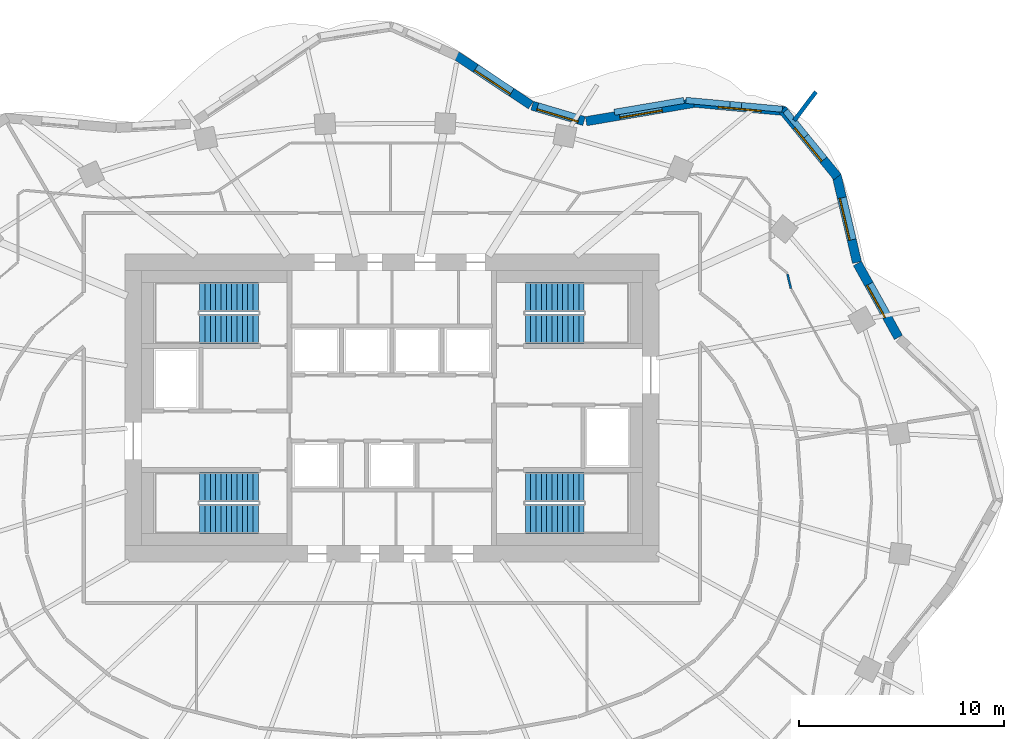
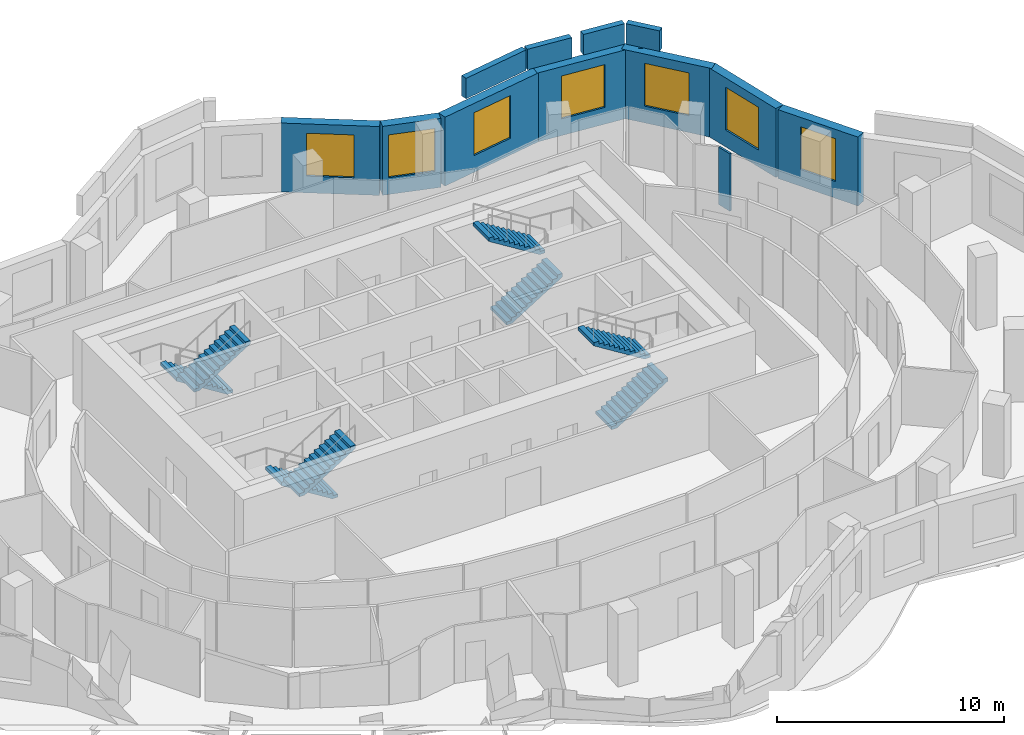
# One storey, part 9 of 10: 13 walls, 8 stair flights, 7 windows, 7 openings, 4 elements without a shape of their own.
"""IFC4 building model written with IfcOpenShell, lengths in metres."""

from ifc_helpers import new_model, si_unit, direction, frame, frame_2d, origin, place, context, subcontext, project, spatial, polyline, rectangle, outline, extrude, material, layer, layer_set, type_object, element, fill, aggregate, save


model = new_model("IFC4")

# Units and contexts
model_context = context("Model", 3, precision=1e-05, world=origin(), true_north=direction((0.0, 1.0)))
body_context = subcontext(model_context, "Body", "Model", "MODEL_VIEW")
ifc_project = project(units=[si_unit("LENGTHUNIT", "METRE"), si_unit("AREAUNIT", "SQUARE_METRE"), si_unit("VOLUMEUNIT", "CUBIC_METRE"), si_unit("PLANEANGLEUNIT", "RADIAN"), si_unit("MASSUNIT", "GRAM", prefix="KILO")], contexts=[model_context])

# Site, building, storey
site_placement = place(None, origin())
site = spatial("IfcSite", under=ifc_project, at=site_placement, CompositionType="ELEMENT")
building_placement = place(site_placement, origin())
building = spatial("IfcBuilding", under=site, at=building_placement, Name="Rubra Terraces Tower", CompositionType="ELEMENT")
storey_placement = place(building_placement, frame((0.0, 0.0, 205.199951171875)))
storey = spatial("IfcBuildingStorey", under=building, at=storey_placement, Name="L50", CompositionType="ELEMENT", Elevation=205.199951171875)

# Wall, opening, window
ifc_material_1 = material(Name="Brick masonry red-brown", Category="masonry")
ifc_layer_1 = layer(ifc_material_1, 0.449951171875)
ifc_layer_set_1 = layer_set([ifc_layer_1], Name="Brick masonry red-brown")
wall_type_1 = type_object("IfcWallType", Name="Brick facade wall 450", PredefinedType="SOLIDWALL", material=ifc_layer_set_1)
wall_1_placement = place(storey_placement, frame((24.662109375, 7.93896484375, 0.0), z_axis=(0.0, 0.0, 1.0), x_axis=(-0.485153910721, 0.874428775208, 0.0)))
wall_1 = element("IfcWall", 1, at=wall_1_placement, inside=storey, type_object=wall_type_1, Name="Facade wall L50 bay 3", PredefinedType="SOLIDWALL", context=body_context, shape_type="SweptSolid", body=[
    extrude(rectangle(XDim=4.1123046875, YDim=0.449951171875, at=frame_2d((2.05615234375, 0.0))), origin(), (0.0, 0.0, 1.0), 3.699951171875),
])
opening_1_placement = place(wall_1_placement, frame((1.15625, 0.0, 0.89990234375)))
opening_1 = element("IfcOpeningElement", 2, at=opening_1_placement, cuts=wall_1, Name="Opening W6B", PredefinedType="OPENING", context=body_context, shape_type="SweptSolid", body=[
    extrude(rectangle(XDim=1.800048828125, YDim=2.300048828125, at=frame_2d((0.89990234375, 1.14990234375))), frame((0.0, 0.23486328125, 0.0), z_axis=(0.0, -1.0, 0.0), x_axis=(1.0, 0.0, 0.0)), (0.0, 0.0, 1.0), 0.469970703125),
])
ifc_material_2 = material(Name="Clear glass in aluminium frame", Category="aluminium")
window_type_1 = type_object("IfcWindowType", Name="Fixed deep-set window at wind fin tall storey 1800 x 2300", PartitioningType="SINGLE_PANEL", PredefinedType="WINDOW", material=ifc_material_2)
window_1_placement = place(opening_1_placement, origin())
window_1 = element("IfcWindow", 3, at=window_1_placement, inside=storey, type_object=window_type_1, Name="Window L50 bay 3", OverallHeight=2.300048828125, OverallWidth=1.800048828125, PartitioningType="SINGLE_PANEL", PredefinedType="WINDOW", context=body_context, shape_type="SweptSolid", body=[
    extrude(rectangle(XDim=1.800048828125, YDim=2.300048828125, at=frame_2d((0.89990234375, 1.14990234375))), frame((0.0, 0.135009765625, 0.0), z_axis=(0.0, -1.0, 0.0), x_axis=(1.0, 0.0, 0.0)), (0.0, 0.0, 1.0), 0.06005859375),
])
fill(opening_1, window_1)

wall_2_placement = place(storey_placement, frame((22.646484375, 11.5859375, 0.0), z_axis=(0.0, 0.0, 1.0), x_axis=(-0.227925124198, 0.973678662475, 0.0)))
wall_2 = element("IfcWall", 4, at=wall_2_placement, inside=storey, type_object=wall_type_1, Name="Facade wall L50 bay 4", PredefinedType="SOLIDWALL", context=body_context, shape_type="SweptSolid", body=[
    extrude(rectangle(XDim=4.360595703125, YDim=0.449951171875, at=frame_2d((2.18017578125, 0.0))), origin(), (0.0, 0.0, 1.0), 3.699951171875),
])
opening_2_placement = place(wall_2_placement, frame((1.13037109375, 0.0, 0.89990234375)))
opening_2 = element("IfcOpeningElement", 5, at=opening_2_placement, cuts=wall_2, Name="Opening W1B", PredefinedType="OPENING", context=body_context, shape_type="SweptSolid", body=[
    extrude(rectangle(XDim=2.10009765625, YDim=2.300048828125, at=frame_2d((1.050048828125, 1.14990234375))), frame((0.0, 0.23486328125, 0.0), z_axis=(0.0, -1.0, 0.0), x_axis=(1.0, 0.0, 0.0)), (0.0, 0.0, 1.0), 0.469970703125),
])
window_type_2 = type_object("IfcWindowType", Name="Fixed deep-set window tall storey 2100 x 2300", PartitioningType="SINGLE_PANEL", PredefinedType="WINDOW", material=ifc_material_2)
window_2_placement = place(opening_2_placement, origin())
window_2 = element("IfcWindow", 6, at=window_2_placement, inside=storey, type_object=window_type_2, Name="Window L50 bay 4", OverallHeight=2.300048828125, OverallWidth=2.10009765625, PartitioningType="SINGLE_PANEL", PredefinedType="WINDOW", context=body_context, shape_type="SweptSolid", body=[
    extrude(rectangle(XDim=2.10009765625, YDim=2.300048828125, at=frame_2d((1.050048828125, 1.14990234375))), frame((0.0, 0.135009765625, 0.0), z_axis=(0.0, -1.0, 0.0), x_axis=(1.0, 0.0, 0.0)), (0.0, 0.0, 1.0), 0.06005859375),
])
fill(opening_2, window_2)

wall_3_placement = place(storey_placement, frame((21.69580078125, 15.74755859375, 0.0), z_axis=(0.0, 0.0, 1.0), x_axis=(-0.632968710519, 0.774177377288, 0.0)))
wall_3 = element("IfcWall", 7, at=wall_3_placement, inside=storey, type_object=wall_type_1, Name="Facade wall L50 bay 5", PredefinedType="SOLIDWALL", context=body_context, shape_type="SweptSolid", body=[
    extrude(rectangle(XDim=4.249755859375, YDim=0.449951171875, at=frame_2d((2.125, 0.0))), origin(), (0.0, 0.0, 1.0), 3.699951171875),
])
opening_3_placement = place(wall_3_placement, frame((1.074951171875, 0.0, 0.89990234375)))
opening_3 = element("IfcOpeningElement", 8, at=opening_3_placement, cuts=wall_3, Name="Opening W1B", PredefinedType="OPENING", context=body_context, shape_type="SweptSolid", body=[
    extrude(rectangle(XDim=2.10009765625, YDim=2.300048828125, at=frame_2d((1.050048828125, 1.14990234375))), frame((0.0, 0.23486328125, 0.0), z_axis=(0.0, -1.0, 0.0), x_axis=(1.0, 0.0, 0.0)), (0.0, 0.0, 1.0), 0.469970703125),
])
window_3_placement = place(opening_3_placement, origin())
window_3 = element("IfcWindow", 9, at=window_3_placement, inside=storey, type_object=window_type_2, Name="Window L50 bay 5", OverallHeight=2.300048828125, OverallWidth=2.10009765625, PartitioningType="SINGLE_PANEL", PredefinedType="WINDOW", context=body_context, shape_type="SweptSolid", body=[
    extrude(rectangle(XDim=2.10009765625, YDim=2.300048828125, at=frame_2d((1.050048828125, 1.14990234375))), frame((0.0, 0.135009765625, 0.0), z_axis=(0.0, -1.0, 0.0), x_axis=(1.0, 0.0, 0.0)), (0.0, 0.0, 1.0), 0.06005859375),
])
fill(opening_3, window_3)

wall_4_placement = place(storey_placement, frame((19.1591796875, 18.955810546875, 0.0), z_axis=(0.0, 0.0, 1.0), x_axis=(-0.995777399421, 0.091800712424, 0.0)))
wall_4 = element("IfcWall", 10, at=wall_4_placement, inside=storey, type_object=wall_type_1, Name="Facade wall L50 bay 6", PredefinedType="SOLIDWALL", context=body_context, shape_type="SweptSolid", body=[
    extrude(rectangle(XDim=4.45458984375, YDim=0.449951171875, at=frame_2d((2.227294921875, 0.0))), origin(), (0.0, 0.0, 1.0), 3.699951171875),
])
opening_4_placement = place(wall_4_placement, frame((1.177490234375, 0.0, 0.89990234375)))
opening_4 = element("IfcOpeningElement", 11, at=opening_4_placement, cuts=wall_4, Name="Opening W1B", PredefinedType="OPENING", context=body_context, shape_type="SweptSolid", body=[
    extrude(rectangle(XDim=2.10009765625, YDim=2.300048828125, at=frame_2d((1.050048828125, 1.14990234375))), frame((0.0, 0.23486328125, 0.0), z_axis=(0.0, -1.0, 0.0), x_axis=(1.0, 0.0, 0.0)), (0.0, 0.0, 1.0), 0.469970703125),
])
window_4_placement = place(opening_4_placement, origin())
window_4 = element("IfcWindow", 12, at=window_4_placement, inside=storey, type_object=window_type_2, Name="Window L50 bay 6", OverallHeight=2.300048828125, OverallWidth=2.10009765625, PartitioningType="SINGLE_PANEL", PredefinedType="WINDOW", context=body_context, shape_type="SweptSolid", body=[
    extrude(rectangle(XDim=2.10009765625, YDim=2.300048828125, at=frame_2d((1.050048828125, 1.14990234375))), frame((0.0, 0.135009765625, 0.0), z_axis=(0.0, -1.0, 0.0), x_axis=(1.0, 0.0, 0.0)), (0.0, 0.0, 1.0), 0.06005859375),
])
fill(opening_4, window_4)

wall_5_placement = place(storey_placement, frame((14.78173828125, 19.366943359375, 0.0), z_axis=(0.0, 0.0, 1.0), x_axis=(-0.98585584667, -0.167595493934, 0.0)))
wall_5 = element("IfcWall", 13, at=wall_5_placement, inside=storey, type_object=wall_type_1, Name="Facade wall L50 bay 7", PredefinedType="SOLIDWALL", context=body_context, shape_type="SweptSolid", body=[
    extrude(rectangle(XDim=5.398681640625, YDim=0.449951171875, at=frame_2d((2.69921875, 0.0))), origin(), (0.0, 0.0, 1.0), 3.699951171875),
])
opening_5_placement = place(wall_5_placement, frame((1.6494140625, 0.0, 0.89990234375)))
opening_5 = element("IfcOpeningElement", 14, at=opening_5_placement, cuts=wall_5, Name="Opening W1B", PredefinedType="OPENING", context=body_context, shape_type="SweptSolid", body=[
    extrude(rectangle(XDim=2.10009765625, YDim=2.300048828125, at=frame_2d((1.050048828125, 1.14990234375))), frame((0.0, 0.23486328125, 0.0), z_axis=(0.0, -1.0, 0.0), x_axis=(1.0, 0.0, 0.0)), (0.0, 0.0, 1.0), 0.469970703125),
])
window_5_placement = place(opening_5_placement, origin())
window_5 = element("IfcWindow", 15, at=window_5_placement, inside=storey, type_object=window_type_2, Name="Window L50 bay 7", OverallHeight=2.300048828125, OverallWidth=2.10009765625, PartitioningType="SINGLE_PANEL", PredefinedType="WINDOW", context=body_context, shape_type="SweptSolid", body=[
    extrude(rectangle(XDim=2.10009765625, YDim=2.300048828125, at=frame_2d((1.050048828125, 1.14990234375))), frame((0.0, 0.135009765625, 0.0), z_axis=(0.0, -1.0, 0.0), x_axis=(1.0, 0.0, 0.0)), (0.0, 0.0, 1.0), 0.06005859375),
])
fill(opening_5, window_5)

wall_6_placement = place(storey_placement, frame((9.357421875, 18.468505859375, 0.0), z_axis=(0.0, 0.0, 1.0), x_axis=(-0.958524054629, 0.285011643091, 0.0)))
wall_6 = element("IfcWall", 16, at=wall_6_placement, inside=storey, type_object=wall_type_1, Name="Facade wall L50 bay 8", PredefinedType="SOLIDWALL", context=body_context, shape_type="SweptSolid", body=[
    extrude(rectangle(XDim=2.637451171875, YDim=0.449951171875, at=frame_2d((1.31884765625, 0.0))), origin(), (0.0, 0.0, 1.0), 3.699951171875),
])
opening_6_placement = place(wall_6_placement, frame((0.268798828125, 0.0, 0.89990234375)))
opening_6 = element("IfcOpeningElement", 17, at=opening_6_placement, cuts=wall_6, Name="Opening W1B", PredefinedType="OPENING", context=body_context, shape_type="SweptSolid", body=[
    extrude(rectangle(XDim=2.10009765625, YDim=2.300048828125, at=frame_2d((1.050048828125, 1.14990234375))), frame((0.0, 0.23486328125, 0.0), z_axis=(0.0, -1.0, 0.0), x_axis=(1.0, 0.0, 0.0)), (0.0, 0.0, 1.0), 0.469970703125),
])
window_6_placement = place(opening_6_placement, origin())
window_6 = element("IfcWindow", 18, at=window_6_placement, inside=storey, type_object=window_type_2, Name="Window L50 bay 8", OverallHeight=2.300048828125, OverallWidth=2.10009765625, PartitioningType="SINGLE_PANEL", PredefinedType="WINDOW", context=body_context, shape_type="SweptSolid", body=[
    extrude(rectangle(XDim=2.10009765625, YDim=2.300048828125, at=frame_2d((1.050048828125, 1.14990234375))), frame((0.0, 0.135009765625, 0.0), z_axis=(0.0, -1.0, 0.0), x_axis=(1.0, 0.0, 0.0)), (0.0, 0.0, 1.0), 0.06005859375),
])
fill(opening_6, window_6)

wall_7_placement = place(storey_placement, frame((6.76904296875, 19.248291015625, 0.0), z_axis=(0.0, 0.0, 1.0), x_axis=(-0.832973379274, 0.553313066375, 0.0)))
wall_7 = element("IfcWall", 19, at=wall_7_placement, inside=storey, type_object=wall_type_1, Name="Facade wall L50 bay 9", PredefinedType="SOLIDWALL", context=body_context, shape_type="SweptSolid", body=[
    extrude(rectangle(XDim=4.348388671875, YDim=0.449951171875, at=frame_2d((2.17431640625, 0.0))), origin(), (0.0, 0.0, 1.0), 3.699951171875),
])
opening_7_placement = place(wall_7_placement, frame((1.1240234375, 0.0, 0.89990234375)))
opening_7 = element("IfcOpeningElement", 20, at=opening_7_placement, cuts=wall_7, Name="Opening W1B", PredefinedType="OPENING", context=body_context, shape_type="SweptSolid", body=[
    extrude(rectangle(XDim=2.10009765625, YDim=2.300048828125, at=frame_2d((1.050048828125, 1.14990234375))), frame((0.0, 0.23486328125, 0.0), z_axis=(0.0, -1.0, 0.0), x_axis=(1.0, 0.0, 0.0)), (0.0, 0.0, 1.0), 0.469970703125),
])
window_7_placement = place(opening_7_placement, origin())
window_7 = element("IfcWindow", 21, at=window_7_placement, inside=storey, type_object=window_type_2, Name="Window L50 bay 9", OverallHeight=2.300048828125, OverallWidth=2.10009765625, PartitioningType="SINGLE_PANEL", PredefinedType="WINDOW", context=body_context, shape_type="SweptSolid", body=[
    extrude(rectangle(XDim=2.10009765625, YDim=2.300048828125, at=frame_2d((1.050048828125, 1.14990234375))), frame((0.0, 0.135009765625, 0.0), z_axis=(0.0, -1.0, 0.0), x_axis=(1.0, 0.0, 0.0)), (0.0, 0.0, 1.0), 0.06005859375),
])
fill(opening_7, window_7)

# Walls
ifc_layer_2 = layer(ifc_material_1, 0.300048828125)
ifc_layer_set_2 = layer_set([ifc_layer_2], Name="Brick masonry red-brown")
wall_type_2 = type_object("IfcWallType", Name="Brick parapet 300", PredefinedType="PARAPET", material=ifc_layer_set_2)
wall_8_placement = place(storey_placement, frame((20.16845703125, 17.734130859375, 3.900146484375), z_axis=(0.0, 0.0, 1.0), x_axis=(-0.632995189145, 0.774155727564, 0.0)))
element("IfcWall", 22, at=wall_8_placement, inside=storey, type_object=wall_type_2, Name="Parapet L50 bay 5", PredefinedType="PARAPET", context=body_context, shape_type="SweptSolid", body=[
    extrude(rectangle(XDim=1.58935546875, YDim=0.300048828125, at=frame_2d((0.794677734375, 0.0))), origin(), (0.0, 0.0, 1.0), 1.099853515625),
])
wall_9_placement = place(storey_placement, frame((19.01123046875, 19.044921875, 3.900146484375), z_axis=(0.0, 0.0, 1.0), x_axis=(-0.995779953678, 0.09177300176, 0.0)))
element("IfcWall", 23, at=wall_9_placement, inside=storey, type_object=wall_type_2, Name="Parapet L50 bay 6", PredefinedType="PARAPET", context=body_context, shape_type="SweptSolid", body=[
    extrude(rectangle(XDim=1.992431640625, YDim=0.300048828125, at=frame_2d((0.99609375, 0.0))), origin(), (0.0, 0.0, 1.0), 1.099853515625),
])
wall_10_placement = place(storey_placement, frame((16.461669921875, 19.27978515625, 3.900146484375), z_axis=(0.0, 0.0, 1.0), x_axis=(-0.995778015376, 0.091794030816, 0.0)))
element("IfcWall", 24, at=wall_10_placement, inside=storey, type_object=wall_type_2, Name="Parapet L50 bay 6.2", PredefinedType="PARAPET", context=body_context, shape_type="SweptSolid", body=[
    extrude(rectangle(XDim=2.151611328125, YDim=0.300048828125, at=frame_2d((1.07568359375, 0.0))), origin(), (0.0, 0.0, 1.0), 1.099853515625),
])
wall_11_placement = place(storey_placement, frame((14.220947265625, 19.473388671875, 3.900146484375), z_axis=(0.0, 0.0, 1.0), x_axis=(-0.985864880964, -0.167542342353, 0.0)))
element("IfcWall", 25, at=wall_11_placement, inside=storey, type_object=wall_type_2, Name="Parapet L50 bay 7", PredefinedType="PARAPET", context=body_context, shape_type="SweptSolid", body=[
    extrude(rectangle(XDim=3.4375, YDim=0.300048828125, at=frame_2d((1.71875, 0.0))), origin(), (0.0, 0.0, 1.0), 1.099853515625),
])
ifc_layer_3 = layer(ifc_material_1, 0.199951171875)
ifc_layer_set_3 = layer_set([ifc_layer_3], Name="Brick masonry red-brown")
wall_type_3 = type_object("IfcWallType", Name="Brick wind fin 200", PredefinedType="SOLIDWALL", material=ifc_layer_set_3)
wall_12_placement = place(storey_placement, frame((19.591064453125, 18.498046875, 0.0), z_axis=(0.0, 0.0, 1.0), x_axis=(0.603387525063, 0.797448114048, 0.0)))
element("IfcWall", 26, at=wall_12_placement, inside=storey, type_object=wall_type_3, Name="Wind fin L50 3", PredefinedType="SOLIDWALL", context=body_context, shape_type="SweptSolid", body=[
    extrude(rectangle(XDim=1.75, YDim=0.199951171875, at=frame_2d((0.875, 0.0))), origin(), (0.0, 0.0, 1.0), 3.699951171875),
])
ifc_material_3 = material(Name="Plasterboard on steel stud", Category="steel")
ifc_layer_4 = layer(ifc_material_3, 0.10009765625)
ifc_layer_set_4 = layer_set([ifc_layer_4], Name="Plasterboard on steel stud")
wall_type_4 = type_object("IfcWallType", Name="ROOM PARTITION 100", PredefinedType="PARTITIONING", material=ifc_layer_set_4)
wall_13_placement = place(storey_placement, frame((19.261962890625, 11.017333984375, 0.0), z_axis=(0.0, 0.0, 1.0), x_axis=(0.228055604604, -0.973648109539, 0.0)))
element("IfcWall", 27, at=wall_13_placement, inside=storey, type_object=wall_type_4, Name="PARTITION", PredefinedType="PARTITIONING", context=body_context, shape_type="SweptSolid", body=[
    extrude(rectangle(XDim=0.719482421875, YDim=0.10009765625, at=frame_2d((0.35986328125, 0.0))), origin(), (0.0, 0.0, 1.0), 3.083984375),
])

# Stair, stair flights
ifc_material_4 = material(Name="Concrete C40", Category="concrete")
stair_type = type_object("IfcStairType", Name="Core stair 1400", PredefinedType="HALF_TURN_STAIR", material=ifc_material_4)
stair_1_placement = place(storey_placement, origin())
stair_1 = element("IfcStair", 28, at=stair_1_placement, inside=storey, type_object=stair_type, Name="L50 Exit stair S1", PredefinedType="HALF_TURN_STAIR")
stair_flight_type = type_object("IfcStairFlightType", Name="Core stair flight 1400", PredefinedType="STRAIGHT", material=ifc_material_4)
stair_flight_1_placement = place(storey_placement, frame((-6.5, 0.64990234375, 0.0), z_axis=(0.0, 0.0, 1.0), x_axis=(-1.0, 0.0, 0.0)))
stair_flight_1 = element("IfcStairFlight", 29, at=stair_flight_1_placement, type_object=stair_flight_type, Name="S1 flight 1", NumberOfRisers=12, NumberOfTreads=11, PredefinedType="STRAIGHT", RiserHeight=0.1625, TreadLength=0.26, context=body_context, shape_type="SweptSolid", body=[
    extrude(outline(polyline([(0.0, 0.0), (0.0, 0.16259765625), (0.260009765625, 0.16259765625), (0.260009765625, 0.324951171875), (0.52001953125, 0.324951171875), (0.52001953125, 0.487548828125), (0.780029296875, 0.487548828125), (0.780029296875, 0.64990234375), (1.0400390625, 0.64990234375), (1.0400390625, 0.8125), (1.300048828125, 0.8125), (1.300048828125, 0.97509765625), (1.56005859375, 0.97509765625), (1.56005859375, 1.137451171875), (1.820068359375, 1.137451171875), (1.820068359375, 1.300048828125), (2.080078125, 1.300048828125), (2.080078125, 1.46240234375), (2.340087890625, 1.46240234375), (2.340087890625, 1.625), (2.60009765625, 1.625), (2.60009765625, 1.78759765625), (2.860107421875, 1.78759765625), (2.860107421875, 1.949951171875), (2.860107421875, 1.61083984375), (0.28271484375, 0.0), (0.0, 0.0)])), frame((0.0, 0.699951171875, 0.0), z_axis=(0.0, -1.0, 0.0), x_axis=(1.0, 0.0, 0.0)), (0.0, 0.0, 1.0), 1.39990234375),
])
stair_flight_2_placement = place(storey_placement, frame((-9.360107421875, -0.89990234375, 1.949951171875), z_axis=(0.0, 0.0, 1.0), x_axis=(1.0, 0.0, 0.0)))
stair_flight_2 = element("IfcStairFlight", 30, at=stair_flight_2_placement, type_object=stair_flight_type, Name="S1 flight 2", NumberOfRisers=12, NumberOfTreads=11, PredefinedType="STRAIGHT", RiserHeight=0.1625, TreadLength=0.26, context=body_context, shape_type="SweptSolid", body=[
    extrude(outline(polyline([(0.0, 0.0), (0.0, 0.16259765625), (0.260009765625, 0.16259765625), (0.260009765625, 0.324951171875), (0.52001953125, 0.324951171875), (0.52001953125, 0.487548828125), (0.780029296875, 0.487548828125), (0.780029296875, 0.64990234375), (1.0400390625, 0.64990234375), (1.0400390625, 0.8125), (1.300048828125, 0.8125), (1.300048828125, 0.97509765625), (1.56005859375, 0.97509765625), (1.56005859375, 1.137451171875), (1.820068359375, 1.137451171875), (1.820068359375, 1.300048828125), (2.080078125, 1.300048828125), (2.080078125, 1.46240234375), (2.340087890625, 1.46240234375), (2.340087890625, 1.625), (2.60009765625, 1.625), (2.60009765625, 1.78759765625), (2.860107421875, 1.78759765625), (2.860107421875, 1.949951171875), (2.860107421875, 1.61083984375), (0.28271484375, 0.0), (0.0, 0.0)])), frame((0.0, 0.699951171875, 0.0), z_axis=(0.0, -1.0, 0.0), x_axis=(1.0, 0.0, 0.0)), (0.0, 0.0, 1.0), 1.39990234375),
])
aggregate(stair_1, [stair_flight_1, stair_flight_2])

stair_2_placement = place(storey_placement, origin())
stair_2 = element("IfcStair", 31, at=stair_2_placement, inside=storey, type_object=stair_type, Name="L50 Exit stair S2", PredefinedType="HALF_TURN_STAIR")
stair_flight_3_placement = place(storey_placement, frame((-6.5, 9.89990234375, 0.0), z_axis=(0.0, 0.0, 1.0), x_axis=(-1.0, 0.0, 0.0)))
stair_flight_3 = element("IfcStairFlight", 32, at=stair_flight_3_placement, type_object=stair_flight_type, Name="S2 flight 1", NumberOfRisers=12, NumberOfTreads=11, PredefinedType="STRAIGHT", RiserHeight=0.1625, TreadLength=0.26, context=body_context, shape_type="SweptSolid", body=[
    extrude(outline(polyline([(0.0, 0.0), (0.0, 0.16259765625), (0.260009765625, 0.16259765625), (0.260009765625, 0.324951171875), (0.52001953125, 0.324951171875), (0.52001953125, 0.487548828125), (0.780029296875, 0.487548828125), (0.780029296875, 0.64990234375), (1.0400390625, 0.64990234375), (1.0400390625, 0.8125), (1.300048828125, 0.8125), (1.300048828125, 0.97509765625), (1.56005859375, 0.97509765625), (1.56005859375, 1.137451171875), (1.820068359375, 1.137451171875), (1.820068359375, 1.300048828125), (2.080078125, 1.300048828125), (2.080078125, 1.46240234375), (2.340087890625, 1.46240234375), (2.340087890625, 1.625), (2.60009765625, 1.625), (2.60009765625, 1.78759765625), (2.860107421875, 1.78759765625), (2.860107421875, 1.949951171875), (2.860107421875, 1.61083984375), (0.28271484375, 0.0), (0.0, 0.0)])), frame((0.0, 0.699951171875, 0.0), z_axis=(0.0, -1.0, 0.0), x_axis=(1.0, 0.0, 0.0)), (0.0, 0.0, 1.0), 1.39990234375),
])
stair_flight_4_placement = place(storey_placement, frame((-9.360107421875, 8.35009765625, 1.949951171875), z_axis=(0.0, 0.0, 1.0), x_axis=(1.0, 0.0, 0.0)))
stair_flight_4 = element("IfcStairFlight", 33, at=stair_flight_4_placement, type_object=stair_flight_type, Name="S2 flight 2", NumberOfRisers=12, NumberOfTreads=11, PredefinedType="STRAIGHT", RiserHeight=0.1625, TreadLength=0.26, context=body_context, shape_type="SweptSolid", body=[
    extrude(outline(polyline([(0.0, 0.0), (0.0, 0.16259765625), (0.260009765625, 0.16259765625), (0.260009765625, 0.324951171875), (0.52001953125, 0.324951171875), (0.52001953125, 0.487548828125), (0.780029296875, 0.487548828125), (0.780029296875, 0.64990234375), (1.0400390625, 0.64990234375), (1.0400390625, 0.8125), (1.300048828125, 0.8125), (1.300048828125, 0.97509765625), (1.56005859375, 0.97509765625), (1.56005859375, 1.137451171875), (1.820068359375, 1.137451171875), (1.820068359375, 1.300048828125), (2.080078125, 1.300048828125), (2.080078125, 1.46240234375), (2.340087890625, 1.46240234375), (2.340087890625, 1.625), (2.60009765625, 1.625), (2.60009765625, 1.78759765625), (2.860107421875, 1.78759765625), (2.860107421875, 1.949951171875), (2.860107421875, 1.61083984375), (0.28271484375, 0.0), (0.0, 0.0)])), frame((0.0, 0.699951171875, 0.0), z_axis=(0.0, -1.0, 0.0), x_axis=(1.0, 0.0, 0.0)), (0.0, 0.0, 1.0), 1.39990234375),
])
aggregate(stair_2, [stair_flight_3, stair_flight_4])

stair_3_placement = place(storey_placement, origin())
stair_3 = element("IfcStair", 34, at=stair_3_placement, inside=storey, type_object=stair_type, Name="L50 Exit stair S3", PredefinedType="HALF_TURN_STAIR")
stair_flight_5_placement = place(storey_placement, frame((6.5, 8.35009765625, 0.0), z_axis=(0.0, 0.0, 1.0), x_axis=(1.0, 0.0, 0.0)))
stair_flight_5 = element("IfcStairFlight", 35, at=stair_flight_5_placement, type_object=stair_flight_type, Name="S3 flight 1", NumberOfRisers=12, NumberOfTreads=11, PredefinedType="STRAIGHT", RiserHeight=0.1625, TreadLength=0.26, context=body_context, shape_type="SweptSolid", body=[
    extrude(outline(polyline([(0.0, 0.0), (0.0, 0.16259765625), (0.260009765625, 0.16259765625), (0.260009765625, 0.324951171875), (0.52001953125, 0.324951171875), (0.52001953125, 0.487548828125), (0.780029296875, 0.487548828125), (0.780029296875, 0.64990234375), (1.0400390625, 0.64990234375), (1.0400390625, 0.8125), (1.300048828125, 0.8125), (1.300048828125, 0.97509765625), (1.56005859375, 0.97509765625), (1.56005859375, 1.137451171875), (1.820068359375, 1.137451171875), (1.820068359375, 1.300048828125), (2.080078125, 1.300048828125), (2.080078125, 1.46240234375), (2.340087890625, 1.46240234375), (2.340087890625, 1.625), (2.60009765625, 1.625), (2.60009765625, 1.78759765625), (2.860107421875, 1.78759765625), (2.860107421875, 1.949951171875), (2.860107421875, 1.61083984375), (0.28271484375, 0.0), (0.0, 0.0)])), frame((0.0, 0.699951171875, 0.0), z_axis=(0.0, -1.0, 0.0), x_axis=(1.0, 0.0, 0.0)), (0.0, 0.0, 1.0), 1.39990234375),
])
stair_flight_6_placement = place(storey_placement, frame((9.360107421875, 9.89990234375, 1.949951171875), z_axis=(0.0, 0.0, 1.0), x_axis=(-1.0, 0.0, 0.0)))
stair_flight_6 = element("IfcStairFlight", 36, at=stair_flight_6_placement, type_object=stair_flight_type, Name="S3 flight 2", NumberOfRisers=12, NumberOfTreads=11, PredefinedType="STRAIGHT", RiserHeight=0.1625, TreadLength=0.26, context=body_context, shape_type="SweptSolid", body=[
    extrude(outline(polyline([(0.0, 0.0), (0.0, 0.16259765625), (0.260009765625, 0.16259765625), (0.260009765625, 0.324951171875), (0.52001953125, 0.324951171875), (0.52001953125, 0.487548828125), (0.780029296875, 0.487548828125), (0.780029296875, 0.64990234375), (1.0400390625, 0.64990234375), (1.0400390625, 0.8125), (1.300048828125, 0.8125), (1.300048828125, 0.97509765625), (1.56005859375, 0.97509765625), (1.56005859375, 1.137451171875), (1.820068359375, 1.137451171875), (1.820068359375, 1.300048828125), (2.080078125, 1.300048828125), (2.080078125, 1.46240234375), (2.340087890625, 1.46240234375), (2.340087890625, 1.625), (2.60009765625, 1.625), (2.60009765625, 1.78759765625), (2.860107421875, 1.78759765625), (2.860107421875, 1.949951171875), (2.860107421875, 1.61083984375), (0.28271484375, 0.0), (0.0, 0.0)])), frame((0.0, 0.699951171875, 0.0), z_axis=(0.0, -1.0, 0.0), x_axis=(1.0, 0.0, 0.0)), (0.0, 0.0, 1.0), 1.39990234375),
])
aggregate(stair_3, [stair_flight_5, stair_flight_6])

stair_4_placement = place(storey_placement, origin())
stair_4 = element("IfcStair", 37, at=stair_4_placement, inside=storey, type_object=stair_type, Name="L50 Exit stair S4", PredefinedType="HALF_TURN_STAIR")
stair_flight_7_placement = place(storey_placement, frame((6.5, -0.89990234375, 0.0), z_axis=(0.0, 0.0, 1.0), x_axis=(1.0, 0.0, 0.0)))
stair_flight_7 = element("IfcStairFlight", 38, at=stair_flight_7_placement, type_object=stair_flight_type, Name="S4 flight 1", NumberOfRisers=12, NumberOfTreads=11, PredefinedType="STRAIGHT", RiserHeight=0.1625, TreadLength=0.26, context=body_context, shape_type="SweptSolid", body=[
    extrude(outline(polyline([(0.0, 0.0), (0.0, 0.16259765625), (0.260009765625, 0.16259765625), (0.260009765625, 0.324951171875), (0.52001953125, 0.324951171875), (0.52001953125, 0.487548828125), (0.780029296875, 0.487548828125), (0.780029296875, 0.64990234375), (1.0400390625, 0.64990234375), (1.0400390625, 0.8125), (1.300048828125, 0.8125), (1.300048828125, 0.97509765625), (1.56005859375, 0.97509765625), (1.56005859375, 1.137451171875), (1.820068359375, 1.137451171875), (1.820068359375, 1.300048828125), (2.080078125, 1.300048828125), (2.080078125, 1.46240234375), (2.340087890625, 1.46240234375), (2.340087890625, 1.625), (2.60009765625, 1.625), (2.60009765625, 1.78759765625), (2.860107421875, 1.78759765625), (2.860107421875, 1.949951171875), (2.860107421875, 1.61083984375), (0.28271484375, 0.0), (0.0, 0.0)])), frame((0.0, 0.699951171875, 0.0), z_axis=(0.0, -1.0, 0.0), x_axis=(1.0, 0.0, 0.0)), (0.0, 0.0, 1.0), 1.39990234375),
])
stair_flight_8_placement = place(storey_placement, frame((9.360107421875, 0.64990234375, 1.949951171875), z_axis=(0.0, 0.0, 1.0), x_axis=(-1.0, 0.0, 0.0)))
stair_flight_8 = element("IfcStairFlight", 39, at=stair_flight_8_placement, type_object=stair_flight_type, Name="S4 flight 2", NumberOfRisers=12, NumberOfTreads=11, PredefinedType="STRAIGHT", RiserHeight=0.1625, TreadLength=0.26, context=body_context, shape_type="SweptSolid", body=[
    extrude(outline(polyline([(0.0, 0.0), (0.0, 0.16259765625), (0.260009765625, 0.16259765625), (0.260009765625, 0.324951171875), (0.52001953125, 0.324951171875), (0.52001953125, 0.487548828125), (0.780029296875, 0.487548828125), (0.780029296875, 0.64990234375), (1.0400390625, 0.64990234375), (1.0400390625, 0.8125), (1.300048828125, 0.8125), (1.300048828125, 0.97509765625), (1.56005859375, 0.97509765625), (1.56005859375, 1.137451171875), (1.820068359375, 1.137451171875), (1.820068359375, 1.300048828125), (2.080078125, 1.300048828125), (2.080078125, 1.46240234375), (2.340087890625, 1.46240234375), (2.340087890625, 1.625), (2.60009765625, 1.625), (2.60009765625, 1.78759765625), (2.860107421875, 1.78759765625), (2.860107421875, 1.949951171875), (2.860107421875, 1.61083984375), (0.28271484375, 0.0), (0.0, 0.0)])), frame((0.0, 0.699951171875, 0.0), z_axis=(0.0, -1.0, 0.0), x_axis=(1.0, 0.0, 0.0)), (0.0, 0.0, 1.0), 1.39990234375),
])
aggregate(stair_4, [stair_flight_7, stair_flight_8])

save(model, "model.ifc")
